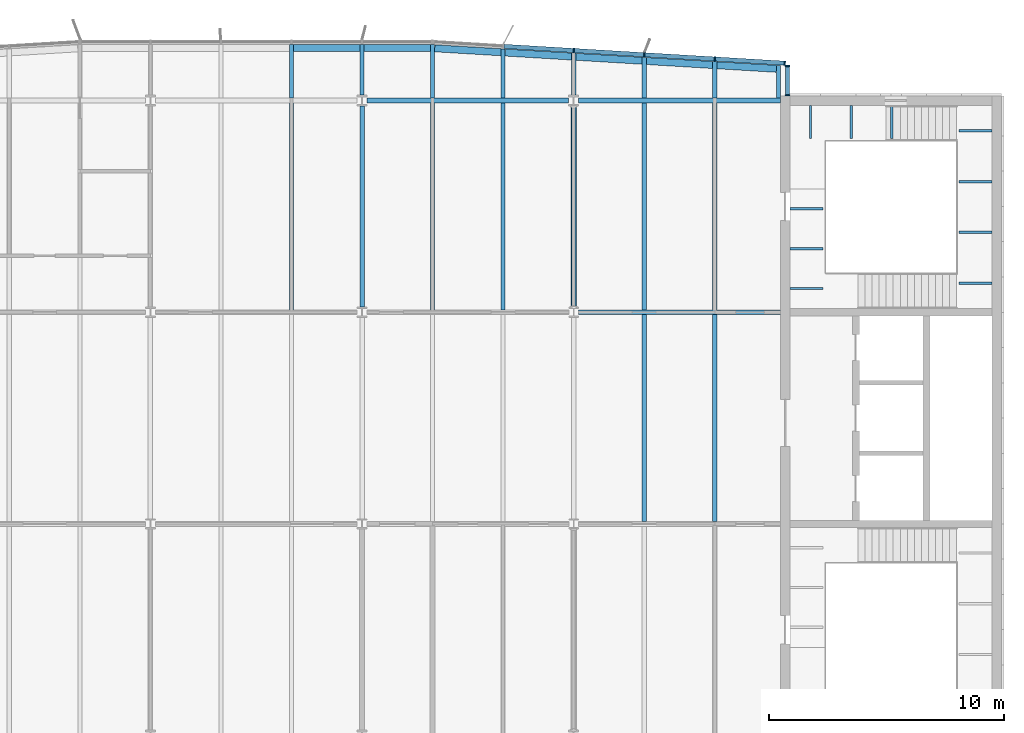
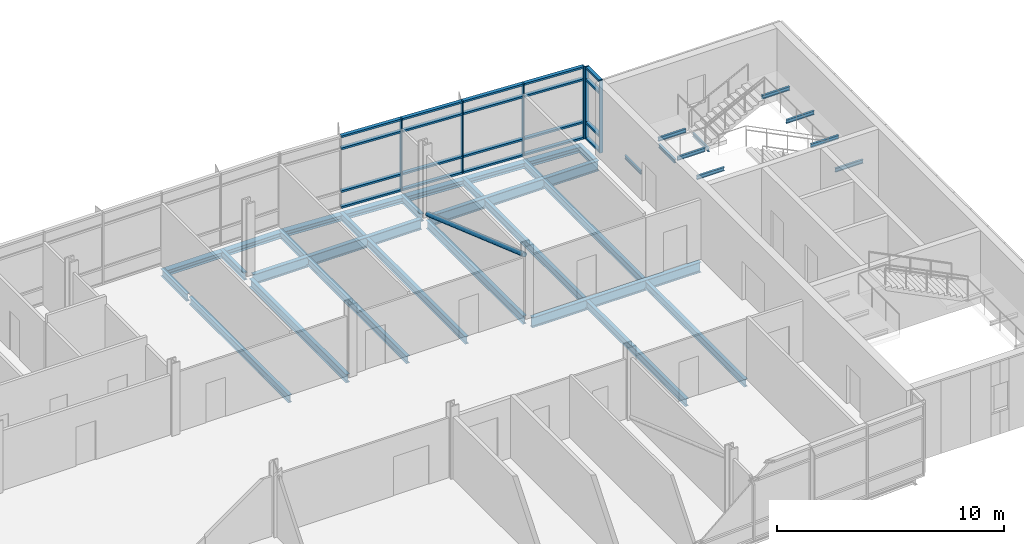
# One storey, part 7 of 17: 37 beams, 27 members, 2 elements without a shape of their own.
"""IFC4 building model written with IfcOpenShell, lengths in metres."""

import ifcopenshell
import ifcopenshell.guid

model = None  # the IFC model being written
_history = None  # IfcOwnerHistory: only IFC2X3 demands one
_inside = {}  # id of a spatial element -> (the spatial element, [elements in it])
_under = {}  # id of a project, library or spatial element -> (it, [spatial elements below it])
_declared = {}  # id of a project -> (the project, [libraries it declares])
_typed = {}  # id of a type object -> (the type object, [elements of that type])
_made_of = {}  # id of a material, layer set ... -> (it, [elements and type objects made of it])


def new_model(schema):
    """Start an empty IFC model of exactly this schema.

    Asked for "IFC4X3", IfcOpenShell would pick the latest addendum, in which some entities
    have other attributes; the version numbers below select the first issue.
    IFC2X3 requires an IfcOwnerHistory on every rooted entity: one is made here for all.
    """
    global model, _history
    if schema == "IFC4X3":
        model = ifcopenshell.file(schema_version=(4, 3, 0, 0))
    else:
        model = ifcopenshell.file(schema=schema)
    _inside.clear()
    _under.clear()
    _declared.clear()
    _typed.clear()
    _made_of.clear()
    _history = None
    if model.schema == "IFC2X3":
        org = make("IfcOrganization", Name="unknown")
        user = make(
            "IfcPersonAndOrganization",
            ThePerson=make("IfcPerson", FamilyName="unknown"),
            TheOrganization=org,
        )
        app = make(
            "IfcApplication",
            ApplicationDeveloper=org,
            Version="unknown",
            ApplicationFullName="unknown",
            ApplicationIdentifier="unknown",
        )
        _history = make(
            "IfcOwnerHistory",
            OwningUser=user,
            OwningApplication=app,
            ChangeAction="ADDED",
            CreationDate=0,
        )
    return model


def make(cls, **values):
    """One entity of the class cls with the attributes given. An attribute that is None is left unset."""
    return model.create_entity(
        cls, **{name: value for name, value in values.items() if value is not None}
    )


def rooted(cls, **values):
    """An entity with a GlobalId (a new one), such as an element, a storey or a relation."""
    return make(cls, GlobalId=ifcopenshell.guid.new(), OwnerHistory=_history, **values)


def si_unit(unit_type, name, prefix=None):
    """IfcSIUnit, for example si_unit("LENGTHUNIT", "METRE", prefix="MILLI")."""
    return make("IfcSIUnit", UnitType=unit_type, Prefix=prefix, Name=name)


def assignment(units):
    """IfcUnitAssignment: the units of a project."""
    return None if units is None else make("IfcUnitAssignment", Units=units)


def point(xyz):
    """IfcCartesianPoint."""
    return None if xyz is None else make("IfcCartesianPoint", Coordinates=xyz)


def direction(xyz):
    """IfcDirection."""
    return None if xyz is None else make("IfcDirection", DirectionRatios=xyz)


def frame(location, z_axis=None, x_axis=None):
    """IfcAxis2Placement3D, a coordinate frame: its origin and axes. An axis left out is left unset."""
    return make(
        "IfcAxis2Placement3D",
        Location=point(location),
        Axis=direction(z_axis),
        RefDirection=direction(x_axis),
    )


def frame_2d(location, x_axis=None):
    """IfcAxis2Placement2D, a coordinate frame in the plane: its origin and x axis."""
    return make(
        "IfcAxis2Placement2D", Location=point(location), RefDirection=direction(x_axis)
    )


def origin():
    """The frame at (0, 0, 0) with its axes left unset."""
    return frame((0.0, 0.0, 0.0))


def origin_2d():
    """The frame at (0, 0) in the plane with its x axis left unset."""
    return frame_2d((0.0, 0.0))


def place(relative_to, where):
    """IfcLocalPlacement: puts the frame where relative to a parent placement (None: the world)."""
    return make(
        "IfcLocalPlacement", PlacementRelTo=relative_to, RelativePlacement=where
    )


def context(
    kind, dimensions, precision=None, world=None, true_north=None, identifier=None
):
    """IfcGeometricRepresentationContext, for example the 3D "Model" context."""
    return make(
        "IfcGeometricRepresentationContext",
        ContextIdentifier=identifier,
        ContextType=kind,
        CoordinateSpaceDimension=dimensions,
        Precision=precision,
        WorldCoordinateSystem=world,
        TrueNorth=true_north,
    )


def subcontext(parent, identifier, kind, view, scale=None):
    """IfcGeometricRepresentationSubContext, for example "Body" below "Model"."""
    return make(
        "IfcGeometricRepresentationSubContext",
        ContextIdentifier=identifier,
        ContextType=kind,
        ParentContext=parent,
        TargetScale=scale,
        TargetView=view,
    )


def project(units=None, contexts=None):
    """IfcProject with its units and contexts."""
    return rooted(
        "IfcProject",
        Name="project",
        RepresentationContexts=contexts,
        UnitsInContext=assignment(units),
    )


def spatial(cls, under=None, at=None, **own):
    """A site, building, storey or space (cls), placed at a placement, below another one or the project."""
    s = rooted(cls, ObjectPlacement=at, **own)
    if under is not None:
        _under.setdefault(under.id(), (under, []))[1].append(s)
    return s


def profile(cls, at=None, kind="AREA", **sizes):
    """A parametric profile (cls). Its sizes go by their IFC names, for example OverallWidth=200.0."""
    return make(cls, ProfileType=kind, Position=at, **sizes)


def rectangle(**sizes):
    """IfcRectangleProfileDef."""
    return profile("IfcRectangleProfileDef", **sizes)


def hollow_circle(**sizes):
    """IfcCircleHollowProfileDef."""
    return profile("IfcCircleHollowProfileDef", **sizes)


def i_section(**sizes):
    """IfcIShapeProfileDef."""
    return profile("IfcIShapeProfileDef", **sizes)


def extrude(swept, where, along, depth):
    """IfcExtrudedAreaSolid: the profile swept, set in the frame where, extruded along a direction by depth."""
    return make(
        "IfcExtrudedAreaSolid",
        SweptArea=swept,
        Position=where,
        ExtrudedDirection=direction(along),
        Depth=depth,
    )


def shape(context_of_items, identifier, shape_type, items):
    """IfcShapeRepresentation: the items that make up one representation, for example the "Body"."""
    return make(
        "IfcShapeRepresentation",
        ContextOfItems=context_of_items,
        RepresentationIdentifier=identifier,
        RepresentationType=shape_type,
        Items=items,
    )


def material(Name=None, Category=None):
    """IfcMaterial."""
    return make("IfcMaterial", Name=Name, Category=Category)


def material_profile(
    of_material, cross_section, Name=None, Category=None, Priority=None
):
    """IfcMaterialProfile: a cross section and its material."""
    return make(
        "IfcMaterialProfile",
        Name=Name,
        Material=of_material,
        Profile=cross_section,
        Priority=Priority,
        Category=Category,
    )


def profile_set(profiles, Name=None, composite=None):
    """IfcMaterialProfileSet."""
    return make(
        "IfcMaterialProfileSet",
        Name=Name,
        MaterialProfiles=profiles,
        CompositeProfile=composite,
    )


def made_of(thing, what):
    """Note that an element or type object is made of a material, layer set ...; save() writes the relation."""
    if what is not None:
        _made_of.setdefault(what.id(), (what, []))[1].append(thing)
    return thing


def type_object(cls, material=None, **own):
    """A type object (cls), such as IfcWallType, which elements share."""
    return made_of(rooted(cls, **own), material)


def element(
    cls,
    number,
    at=None,
    inside=None,
    cuts=None,
    type_object=None,
    material=None,
    context=None,
    identifier="Body",
    shape_type=None,
    held_by="IfcProductDefinitionShape",
    body=None,
    shapes=None,
    **own,
):
    """One element of the class cls, such as IfcWall. Its Tag is "e" and its number.

    at: its placement. inside: the storey or other place that contains it. cuts: it is an
    opening in that element (IfcRelVoidsElement). A single representation is given by context,
    identifier, shape_type and body (its items); several are given by shapes. held_by: the class
    of the entity that holds the representations. save() writes the other relations.
    """
    e = rooted(cls, Tag="e%d" % number, ObjectPlacement=at, **own)
    if body is not None:
        shapes = [shape(context, identifier, shape_type, body)]
    if shapes is not None:
        e.Representation = make(held_by, Representations=shapes)
    if inside is not None:
        _inside.setdefault(inside.id(), (inside, []))[1].append(e)
    if cuts is not None:
        rooted(
            "IfcRelVoidsElement", RelatingBuildingElement=cuts, RelatedOpeningElement=e
        )
    if type_object is not None:
        _typed.setdefault(type_object.id(), (type_object, []))[1].append(e)
    return made_of(e, material)


def aggregate(whole, parts):
    """IfcRelAggregates: a whole, such as a stair, and the parts it consists of."""
    return rooted("IfcRelAggregates", RelatingObject=whole, RelatedObjects=parts)


def save(model, path):
    """Write the relations noted so far, then the file.

    IfcRelAggregates (storeys below a building ...), IfcRelContainedInSpatialStructure (elements
    in a storey), IfcRelDefinesByType, IfcRelAssociatesMaterial and IfcRelDeclares: one each for
    every whole, place, type object, material and project.
    """
    for whole, parts in _under.values():
        aggregate(whole, parts)
    for where, things in _inside.values():
        rooted(
            "IfcRelContainedInSpatialStructure",
            RelatedElements=things,
            RelatingStructure=where,
        )
    for kind, things in _typed.values():
        rooted("IfcRelDefinesByType", RelatedObjects=things, RelatingType=kind)
    for what, things in _made_of.values():
        rooted("IfcRelAssociatesMaterial", RelatedObjects=things, RelatingMaterial=what)
    for by, libraries in _declared.values():
        rooted("IfcRelDeclares", RelatingContext=by, RelatedDefinitions=libraries)
    model.write(path)


model = new_model("IFC4")

# Units and contexts
model_context = context("Model", 3, precision=1e-05, world=origin(), true_north=direction((0.0, 1.0)))
body_context = subcontext(model_context, "Body", "Model", "MODEL_VIEW")
ifc_project = project(units=[si_unit("LENGTHUNIT", "METRE"), si_unit("AREAUNIT", "SQUARE_METRE"), si_unit("VOLUMEUNIT", "CUBIC_METRE"), si_unit("PLANEANGLEUNIT", "RADIAN"), si_unit("MASSUNIT", "GRAM", prefix="KILO")], contexts=[model_context])

# Site, building, storey
site_placement = place(None, origin())
site = spatial("IfcSite", under=ifc_project, at=site_placement, CompositionType="ELEMENT")
building_placement = place(site_placement, origin())
building = spatial("IfcBuilding", under=site, at=building_placement, Name="Azimuth Sports and Learning Centre", CompositionType="ELEMENT")
storey_placement = place(building_placement, frame((0.0, 0.0, 40.199951171875)))
storey = spatial("IfcBuildingStorey", under=building, at=storey_placement, Name="L08", CompositionType="ELEMENT", Elevation=40.199951171875)

# Beams
ifc_material_1 = material(Name="Steel S355", Category="steel")
ifc_material_profile_1 = material_profile(ifc_material_1, i_section(OverallWidth=0.10009765625, OverallDepth=0.199951171875, WebThickness=0.005615234375, FlangeThickness=0.008544921875, FilletRadius=0.011962890625, at=origin_2d()), Name="IPE 200")
ifc_profile_set_1 = profile_set([ifc_material_profile_1], Name="Steel S355")
beam_type_1 = type_object("IfcBeamType", Name="Beam IPE 200", PredefinedType="BEAM", material=ifc_profile_set_1)
for number, where, z_axis, x_axis, name in (
    (1, (109.0732421875, 116.800048828125, -0.300048828125), (0.0, -1.0, 0.0), (1.0, 0.0, 0.0), "Landing bracket E2 L08 613"),
    (2, (110.800048828125, 116.800048828125, -0.300048828125), (0.0, -1.0, 0.0), (1.0, 0.0, 0.0), "Landing bracket E2 L08 614"),
    (3, (112.526611328125, 116.800048828125, -0.300048828125), (0.0, -1.0, 0.0), (1.0, 0.0, 0.0), "Landing bracket E2 L08 615"),
    (4, (116.800048828125, 109.23876953125, 1.35009765625), (-1.0, 0.0, 0.0), (0.0, -1.0, 0.0), "Landing bracket E2 L08 616"),
    (5, (116.800048828125, 111.396240234375, 1.35009765625), (-1.0, 0.0, 0.0), (0.0, -1.0, 0.0), "Landing bracket E2 L08 617"),
    (6, (116.800048828125, 113.5537109375, 1.35009765625), (-1.0, 0.0, 0.0), (0.0, -1.0, 0.0), "Landing bracket E2 L08 618"),
    (7, (116.800048828125, 115.711181640625, 1.35009765625), (-1.0, 0.0, 0.0), (0.0, -1.0, 0.0), "Landing bracket E2 L08 619"),
    (8, (108.199951171875, 109.00830078125, 3.60009765625), (1.0, 0.0, 0.0), (0.0, 1.0, 0.0), "Landing bracket E2 L08 620"),
    (9, (108.199951171875, 110.705078125, 3.60009765625), (1.0, 0.0, 0.0), (0.0, 1.0, 0.0), "Landing bracket E2 L08 621"),
    (10, (108.199951171875, 112.401611328125, 3.60009765625), (1.0, 0.0, 0.0), (0.0, 1.0, 0.0), "Landing bracket E2 L08 622"),
):
    element("IfcBeam", number, at=place(storey_placement, frame(where, z_axis=z_axis, x_axis=x_axis)), inside=storey, type_object=beam_type_1, Name=name, PredefinedType="BEAM", context=body_context, shape_type="SweptSolid", body=[
        extrude(i_section(OverallWidth=0.10009765625, OverallDepth=0.199951171875, WebThickness=0.005615234375, FlangeThickness=0.008544921875, FilletRadius=0.011962890625, at=origin_2d()), origin(), (0.0, 0.0, 1.0), 1.41015625),
    ])
ifc_material_2 = material(Name="Steel S355", Category="steel")
ifc_material_profile_2 = material_profile(ifc_material_2, i_section(OverallWidth=0.18994140625, OverallDepth=0.449951171875, WebThickness=0.009521484375, FlangeThickness=0.0146484375, FilletRadius=0.02099609375, at=origin_2d()), Name="IPE 450")
ifc_profile_set_2 = profile_set([ifc_material_profile_2], Name="Steel S355")
beam_type_2 = type_object("IfcBeamType", Name="Beam IPE 450", PredefinedType="BEAM", material=ifc_profile_set_2)
for number, where, z_axis, x_axis, name in (
    (11, (90.0, 108.217529296875, -0.35498046875), (0.0, 1.0, 0.0), (-1.0, 0.0, 0.0), "Tower tie"),
    (12, (99.0, 108.217529296875, -0.35498046875), (0.0, 1.0, 0.0), (-1.0, 0.0, 0.0), "Tower tie"),
):
    element("IfcBeam", number, at=place(storey_placement, frame(where, z_axis=z_axis, x_axis=x_axis)), inside=storey, type_object=beam_type_2, Name=name, PredefinedType="BEAM", context=body_context, shape_type="SweptSolid", body=[
        extrude(i_section(OverallWidth=0.18994140625, OverallDepth=0.449951171875, WebThickness=0.009521484375, FlangeThickness=0.0146484375, FilletRadius=0.02099609375, at=origin_2d()), origin(), (0.0, 0.0, 1.0), 8.54541015625),
    ])
ifc_material_3 = material(Name="Steel S355", Category="steel")
ifc_material_profile_3 = material_profile(ifc_material_3, i_section(OverallWidth=0.2099609375, OverallDepth=0.550048828125, WebThickness=0.010986328125, FlangeThickness=0.01708984375, FilletRadius=0.02392578125, at=origin_2d()), Name="IPE 550")
ifc_profile_set_3 = profile_set([ifc_material_profile_3], Name="Steel S355")
beam_type_3 = type_object("IfcBeamType", Name="Beam IPE 550", PredefinedType="BEAM", material=ifc_profile_set_3)
beam_1_placement = place(storey_placement, frame((99.2060546875, 108.0, -0.405029296875), z_axis=(1.0, 0.0, 0.0), x_axis=(0.0, 1.0, 0.0)))
element("IfcBeam", 13, at=beam_1_placement, inside=storey, type_object=beam_type_3, Name="Tower girder L08", PredefinedType="BEAM", context=body_context, shape_type="SweptSolid", body=[
    extrude(i_section(OverallWidth=0.2099609375, OverallDepth=0.550048828125, WebThickness=0.010986328125, FlangeThickness=0.01708984375, FilletRadius=0.02392578125, at=origin_2d()), origin(), (0.0, 0.0, 1.0), 8.593994140625),
])
beam_2_placement = place(storey_placement, frame((90.2119140625, 117.0, -0.405029296875), z_axis=(1.0, 0.0, 0.0), x_axis=(0.0, 1.0, 0.0)))
element("IfcBeam", 14, at=beam_2_placement, inside=storey, type_object=beam_type_3, Name="Tower girder L08", PredefinedType="BEAM", context=body_context, shape_type="SweptSolid", body=[
    extrude(i_section(OverallWidth=0.2099609375, OverallDepth=0.550048828125, WebThickness=0.010986328125, FlangeThickness=0.01708984375, FilletRadius=0.02392578125, at=origin_2d()), origin(), (0.0, 0.0, 1.0), 8.576171875),
])
beam_3_placement = place(storey_placement, frame((99.2119140625, 117.0, -0.405029296875), z_axis=(1.0, 0.0, 0.0), x_axis=(0.0, 1.0, 0.0)))
element("IfcBeam", 15, at=beam_3_placement, inside=storey, type_object=beam_type_3, Name="Tower girder L08", PredefinedType="BEAM", context=body_context, shape_type="SweptSolid", body=[
    extrude(i_section(OverallWidth=0.2099609375, OverallDepth=0.550048828125, WebThickness=0.010986328125, FlangeThickness=0.01708984375, FilletRadius=0.02392578125, at=origin_2d()), origin(), (0.0, 0.0, 1.0), 8.588134765625),
])

# Member
ifc_material_4 = material(Name="Steel S355", Category="steel")
ifc_material_profile_4 = material_profile(ifc_material_4, hollow_circle(Radius=0.122314453125, WallThickness=0.012451171875, at=origin_2d()), Name="CHS 244.5x12.5")
ifc_profile_set_4 = profile_set([ifc_material_profile_4], Name="Steel S355")
member_type_1 = type_object("IfcMemberType", Name="Brace CHS 244.5x12.5", PredefinedType="BRACE", material=ifc_profile_set_4)
member_1_placement = place(storey_placement, frame((99.0, 108.238037109375, 3.150634765625), z_axis=(0.0, 0.943699867633, -0.330802901785), x_axis=(-1.0, 0.0, 0.0)))
element("IfcMember", 16, at=member_1_placement, inside=storey, type_object=member_type_1, Name="Tower brace 12 L08", PredefinedType="BRACE", context=body_context, shape_type="SweptSolid", body=[
    extrude(hollow_circle(Radius=0.122314453125, WallThickness=0.012451171875, at=origin_2d()), origin(), (0.0, 0.0, 1.0), 9.011962890625),
])

# Beams
ifc_material_5 = material(Name="Steel S355", Category="steel")
ifc_material_profile_5 = material_profile(ifc_material_5, i_section(OverallWidth=0.179931640625, OverallDepth=0.39990234375, WebThickness=0.008544921875, FlangeThickness=0.013427734375, FilletRadius=0.02099609375, at=origin_2d()), Name="IPE 400")
ifc_profile_set_5 = profile_set([ifc_material_profile_5], Name="Steel S355")
beam_type_4 = type_object("IfcBeamType", Name="Cantilever stub IPE 400", PredefinedType="JOIST", material=ifc_profile_set_5)
beam_4_placement = place(storey_placement, frame((87.0, 117.10498046875, -0.329833984375), z_axis=(0.0, 1.0, 0.0), x_axis=(-1.0, 0.0, 0.0)))
element("IfcBeam", 17, at=beam_4_placement, inside=storey, type_object=beam_type_4, Name="Tower cantilever stub", PredefinedType="JOIST", context=body_context, shape_type="SweptSolid", body=[
    extrude(i_section(OverallWidth=0.179931640625, OverallDepth=0.39990234375, WebThickness=0.008544921875, FlangeThickness=0.013427734375, FilletRadius=0.02099609375, at=origin_2d()), origin(), (0.0, 0.0, 1.0), 2.27490234375),
])
beam_5_placement = place(storey_placement, frame((90.0, 117.237060546875, -0.329833984375), z_axis=(0.0, 1.0, 0.0), x_axis=(-1.0, 0.0, 0.0)))
element("IfcBeam", 18, at=beam_5_placement, inside=storey, type_object=beam_type_4, Name="Tower cantilever stub", PredefinedType="JOIST", context=body_context, shape_type="SweptSolid", body=[
    extrude(i_section(OverallWidth=0.179931640625, OverallDepth=0.39990234375, WebThickness=0.008544921875, FlangeThickness=0.013427734375, FilletRadius=0.02099609375, at=origin_2d()), origin(), (0.0, 0.0, 1.0), 2.142822265625),
])
beam_6_placement = place(storey_placement, frame((93.0, 117.10498046875, -0.329833984375), z_axis=(0.0, 1.0, 0.0), x_axis=(-1.0, 0.0, 0.0)))
element("IfcBeam", 19, at=beam_6_placement, inside=storey, type_object=beam_type_4, Name="Tower cantilever stub", PredefinedType="JOIST", context=body_context, shape_type="SweptSolid", body=[
    extrude(i_section(OverallWidth=0.179931640625, OverallDepth=0.39990234375, WebThickness=0.008544921875, FlangeThickness=0.013427734375, FilletRadius=0.02099609375, at=origin_2d()), origin(), (0.0, 0.0, 1.0), 2.27490234375),
])
beam_7_placement = place(storey_placement, frame((96.0, 117.10498046875, -0.329833984375), z_axis=(0.0, 1.0, 0.0), x_axis=(-1.0, 0.0, 0.0)))
element("IfcBeam", 20, at=beam_7_placement, inside=storey, type_object=beam_type_4, Name="Tower cantilever stub", PredefinedType="JOIST", context=body_context, shape_type="SweptSolid", body=[
    extrude(i_section(OverallWidth=0.179931640625, OverallDepth=0.39990234375, WebThickness=0.008544921875, FlangeThickness=0.013427734375, FilletRadius=0.02099609375, at=origin_2d()), origin(), (0.0, 0.0, 1.0), 2.094970703125),
])
beam_8_placement = place(storey_placement, frame((99.0, 117.237060546875, -0.329833984375), z_axis=(0.0, 1.0, 0.0), x_axis=(-1.0, 0.0, 0.0)))
element("IfcBeam", 21, at=beam_8_placement, inside=storey, type_object=beam_type_4, Name="Tower cantilever stub", PredefinedType="JOIST", context=body_context, shape_type="SweptSolid", body=[
    extrude(i_section(OverallWidth=0.179931640625, OverallDepth=0.39990234375, WebThickness=0.008544921875, FlangeThickness=0.013427734375, FilletRadius=0.02099609375, at=origin_2d()), origin(), (0.0, 0.0, 1.0), 1.782958984375),
])
beam_9_placement = place(storey_placement, frame((102.0, 117.10498046875, -0.329833984375), z_axis=(0.0, 1.0, 0.0), x_axis=(-1.0, 0.0, 0.0)))
element("IfcBeam", 22, at=beam_9_placement, inside=storey, type_object=beam_type_4, Name="Tower cantilever stub", PredefinedType="JOIST", context=body_context, shape_type="SweptSolid", body=[
    extrude(i_section(OverallWidth=0.179931640625, OverallDepth=0.39990234375, WebThickness=0.008544921875, FlangeThickness=0.013427734375, FilletRadius=0.02099609375, at=origin_2d()), origin(), (0.0, 0.0, 1.0), 1.735107421875),
])
beam_10_placement = place(storey_placement, frame((105.0, 117.10498046875, -0.329833984375), z_axis=(0.0, 1.0, 0.0), x_axis=(-1.0, 0.0, 0.0)))
element("IfcBeam", 23, at=beam_10_placement, inside=storey, type_object=beam_type_4, Name="Tower cantilever stub", PredefinedType="JOIST", context=body_context, shape_type="SweptSolid", body=[
    extrude(i_section(OverallWidth=0.179931640625, OverallDepth=0.39990234375, WebThickness=0.008544921875, FlangeThickness=0.013427734375, FilletRadius=0.02099609375, at=origin_2d()), origin(), (0.0, 0.0, 1.0), 1.554931640625),
])
beam_11_placement = place(storey_placement, frame((107.7099609375, 117.10498046875, -0.329833984375), z_axis=(0.0, 1.0, 0.0), x_axis=(-1.0, 0.0, 0.0)))
element("IfcBeam", 24, at=beam_11_placement, inside=storey, type_object=beam_type_4, Name="Tower cantilever stub", PredefinedType="JOIST", context=body_context, shape_type="SweptSolid", body=[
    extrude(i_section(OverallWidth=0.179931640625, OverallDepth=0.39990234375, WebThickness=0.008544921875, FlangeThickness=0.013427734375, FilletRadius=0.02099609375, at=origin_2d()), origin(), (0.0, 0.0, 1.0), 1.392333984375),
])
ifc_material_6 = material(Name="Steel S355", Category="steel")
ifc_material_profile_6 = material_profile(ifc_material_6, i_section(OverallWidth=0.300048828125, OverallDepth=0.2900390625, WebThickness=0.008544921875, FlangeThickness=0.013916015625, FilletRadius=0.027099609375, at=origin_2d()), Name="HEA 300")
ifc_profile_set_6 = profile_set([ifc_material_profile_6], Name="Steel S355")
beam_type_5 = type_object("IfcBeamType", Name="Edge beam HEA 300", PredefinedType="SPANDREL", material=ifc_profile_set_6)
for number, where, z_axis, x_axis, name in (
    (25, (87.090087890625, 119.22998046875, -0.27490234375), (1.0, 0.0, 0.0), (0.0, 1.0, 0.0), "Tower edge beam"),
    (26, (90.090087890625, 119.22998046875, -0.27490234375), (1.0, 0.0, 0.0), (0.0, 1.0, 0.0), "Tower edge beam"),
):
    element("IfcBeam", number, at=place(storey_placement, frame(where, z_axis=z_axis, x_axis=x_axis)), inside=storey, type_object=beam_type_5, Name=name, PredefinedType="SPANDREL", context=body_context, shape_type="SweptSolid", body=[
        extrude(i_section(OverallWidth=0.300048828125, OverallDepth=0.2900390625, WebThickness=0.008544921875, FlangeThickness=0.013916015625, FilletRadius=0.027099609375, at=origin_2d()), origin(), (0.0, 0.0, 1.0), 2.81982421875),
    ])
for number, where, z_axis, x_axis, name in (
    (27, (93.090087890625, 119.224609375, -0.27490234375), (0.998204845466, -0.059892290728, 0.0), (0.059892290728, 0.998204845466, 0.0), "Tower edge beam"),
    (28, (96.090087890625, 119.044677734375, -0.27490234375), (0.998204845466, -0.059892290728, 0.0), (0.059892290728, 0.998204845466, 0.0), "Tower edge beam"),
    (29, (99.090087890625, 118.864501953125, -0.27490234375), (0.998204845466, -0.059892290728, 0.0), (0.059892290728, 0.998204845466, 0.0), "Tower edge beam"),
    (30, (102.090087890625, 118.6845703125, -0.27490234375), (0.998204845466, -0.059892290728, 0.0), (0.059892290728, 0.998204845466, 0.0), "Tower edge beam"),
):
    element("IfcBeam", number, at=place(storey_placement, frame(where, z_axis=z_axis, x_axis=x_axis)), inside=storey, type_object=beam_type_5, Name=name, PredefinedType="SPANDREL", context=body_context, shape_type="SweptSolid", body=[
        extrude(i_section(OverallWidth=0.300048828125, OverallDepth=0.2900390625, WebThickness=0.008544921875, FlangeThickness=0.013916015625, FilletRadius=0.027099609375, at=origin_2d()), origin(), (0.0, 0.0, 1.0), 2.824951171875),
    ])
beam_12_placement = place(storey_placement, frame((105.090087890625, 118.504638671875, -0.27490234375), z_axis=(0.998203578329, -0.059913405937, 0.0), x_axis=(0.059913405937, 0.998203578329, 0.0)))
element("IfcBeam", 31, at=beam_12_placement, inside=storey, type_object=beam_type_5, Name="Tower edge beam", PredefinedType="SPANDREL", context=body_context, shape_type="SweptSolid", body=[
    extrude(i_section(OverallWidth=0.300048828125, OverallDepth=0.2900390625, WebThickness=0.008544921875, FlangeThickness=0.013916015625, FilletRadius=0.027099609375, at=origin_2d()), origin(), (0.0, 0.0, 1.0), 2.53466796875),
])
ifc_material_7 = material(Name="Steel S355", Category="steel")
ifc_material_profile_7 = material_profile(ifc_material_7, i_section(OverallWidth=0.179931640625, OverallDepth=0.39990234375, WebThickness=0.008544921875, FlangeThickness=0.013427734375, FilletRadius=0.02099609375, at=origin_2d()), Name="IPE 400")
ifc_profile_set_7 = profile_set([ifc_material_profile_7], Name="Steel S355")
beam_type_6 = type_object("IfcBeamType", Name="Joist IPE 400", PredefinedType="JOIST", material=ifc_profile_set_7)
for number, where, z_axis, x_axis, name in (
    (32, (87.0, 108.10498046875, -0.329833984375), (0.0, 1.0, 0.0), (-1.0, 0.0, 0.0), "Tower joist"),
    (33, (93.0, 108.10498046875, -0.329833984375), (0.0, 1.0, 0.0), (-1.0, 0.0, 0.0), "Tower joist"),
    (34, (96.0, 108.10498046875, -0.329833984375), (0.0, 1.0, 0.0), (-1.0, 0.0, 0.0), "Tower joist"),
    (35, (102.0, 99.10498046875, -0.329833984375), (0.0, 1.0, 0.0), (-1.0, 0.0, 0.0), "Tower joist"),
    (36, (102.0, 108.10498046875, -0.329833984375), (0.0, 1.0, 0.0), (-1.0, 0.0, 0.0), "Tower joist"),
    (37, (105.0, 99.10498046875, -0.329833984375), (0.0, 1.0, 0.0), (-1.0, 0.0, 0.0), "Tower joist"),
    (38, (105.0, 108.10498046875, -0.329833984375), (0.0, 1.0, 0.0), (-1.0, 0.0, 0.0), "Tower joist"),
):
    element("IfcBeam", number, at=place(storey_placement, frame(where, z_axis=z_axis, x_axis=x_axis)), inside=storey, type_object=beam_type_6, Name=name, PredefinedType="JOIST", context=body_context, shape_type="SweptSolid", body=[
        extrude(i_section(OverallWidth=0.179931640625, OverallDepth=0.39990234375, WebThickness=0.008544921875, FlangeThickness=0.013427734375, FilletRadius=0.02099609375, at=origin_2d()), origin(), (0.0, 0.0, 1.0), 8.7900390625),
    ])

# Curtain wall, members
ifc_material_8 = material(Name="Aluminium and glass", Category="aluminium")
curtain_wall_type_1 = type_object("IfcCurtainWallType", Name="Curtain wall tower return 180", PredefinedType="NOTDEFINED", material=ifc_material_8)
curtain_wall_1_placement = place(storey_placement, origin())
curtain_wall_1 = element("IfcCurtainWall", 39, at=curtain_wall_1_placement, inside=storey, type_object=curtain_wall_type_1, Name="Curtain wall CW08-006", PredefinedType="NOTDEFINED")
ifc_material_9 = material(Name="Aluminium", Category="aluminium")
ifc_material_profile_8 = material_profile(ifc_material_9, rectangle(XDim=0.179931640625, YDim=0.06005859375, at=origin_2d()), Name="Mullion 60x180")
ifc_profile_set_8 = profile_set([ifc_material_profile_8], Name="Aluminium")
member_type_2 = type_object("IfcMemberType", Name="Mullion 60x180", PredefinedType="MULLION", material=ifc_profile_set_8)
member_2_placement = place(storey_placement, frame((108.090087890625, 117.22998046875, 0.0), z_axis=(0.0, 0.0, 1.0), x_axis=(-1.0, 0.0, 0.0)))
member_2 = element("IfcMember", 40, at=member_2_placement, type_object=member_type_2, Name="CW08-006 mullion 1", PredefinedType="MULLION", context=body_context, shape_type="SweptSolid", body=[
    extrude(rectangle(XDim=0.179931640625, YDim=0.06005859375, at=origin_2d()), origin(), (0.0, 0.0, 1.0), 3.900146484375),
])
member_3_placement = place(storey_placement, frame((108.090087890625, 118.469970703125, 0.0), z_axis=(0.0, 0.0, 1.0), x_axis=(-1.0, 0.0, 0.0)))
member_3 = element("IfcMember", 41, at=member_3_placement, type_object=member_type_2, Name="CW08-006 mullion 2", PredefinedType="MULLION", context=body_context, shape_type="SweptSolid", body=[
    extrude(rectangle(XDim=0.179931640625, YDim=0.06005859375, at=origin_2d()), origin(), (0.0, 0.0, 1.0), 3.900146484375),
])

ifc_material_10 = material(Name="Aluminium and glass", Category="aluminium")
curtain_wall_type_2 = type_object("IfcCurtainWallType", Name="Curtain wall tower north 180", PredefinedType="NOTDEFINED", material=ifc_material_10)
curtain_wall_2_placement = place(storey_placement, origin())
curtain_wall_2 = element("IfcCurtainWall", 42, at=curtain_wall_2_placement, inside=storey, type_object=curtain_wall_type_2, Name="Curtain wall CW08-007", PredefinedType="NOTDEFINED")
member_4_placement = place(storey_placement, frame((107.975341796875, 118.591552734375, 0.0), z_axis=(0.0, 0.0, 1.0), x_axis=(-0.059891991812, -0.998204863401, 0.0)))
member_4 = element("IfcMember", 43, at=member_4_placement, type_object=member_type_2, Name="CW08-007 mullion 1", PredefinedType="MULLION", context=body_context, shape_type="SweptSolid", body=[
    extrude(rectangle(XDim=0.179931640625, YDim=0.06005859375, at=origin_2d()), origin(), (0.0, 0.0, 1.0), 3.900146484375),
])
member_5_placement = place(storey_placement, frame((105.00537109375, 118.769775390625, 0.0), z_axis=(0.0, 0.0, 1.0), x_axis=(-0.059891991812, -0.998204863401, 0.0)))
member_5 = element("IfcMember", 44, at=member_5_placement, type_object=member_type_2, Name="CW08-007 mullion 2", PredefinedType="MULLION", context=body_context, shape_type="SweptSolid", body=[
    extrude(rectangle(XDim=0.179931640625, YDim=0.06005859375, at=origin_2d()), origin(), (0.0, 0.0, 1.0), 3.900146484375),
])
member_6_placement = place(storey_placement, frame((102.00537109375, 118.949951171875, 0.0), z_axis=(0.0, 0.0, 1.0), x_axis=(-0.059891991812, -0.998204863401, 0.0)))
member_6 = element("IfcMember", 45, at=member_6_placement, type_object=member_type_2, Name="CW08-007 mullion 3", PredefinedType="MULLION", context=body_context, shape_type="SweptSolid", body=[
    extrude(rectangle(XDim=0.179931640625, YDim=0.06005859375, at=origin_2d()), origin(), (0.0, 0.0, 1.0), 3.900146484375),
])
member_7_placement = place(storey_placement, frame((99.00537109375, 119.1298828125, 0.0), z_axis=(0.0, 0.0, 1.0), x_axis=(-0.059891991812, -0.998204863401, 0.0)))
member_7 = element("IfcMember", 46, at=member_7_placement, type_object=member_type_2, Name="CW08-007 mullion 4", PredefinedType="MULLION", context=body_context, shape_type="SweptSolid", body=[
    extrude(rectangle(XDim=0.179931640625, YDim=0.06005859375, at=origin_2d()), origin(), (0.0, 0.0, 1.0), 3.900146484375),
])

# Member
ifc_material_11 = material(Name="Aluminium", Category="aluminium")
ifc_material_profile_9 = material_profile(ifc_material_11, rectangle(XDim=0.179931640625, YDim=0.10009765625, at=origin_2d()), Name="Transom 100x180")
ifc_profile_set_9 = profile_set([ifc_material_profile_9], Name="Aluminium")
member_type_3 = type_object("IfcMemberType", Name="Transom 100x180", PredefinedType="USERDEFINED", material=ifc_profile_set_9)
member_8_placement = place(storey_placement, frame((108.090087890625, 117.260009765625, 0.050048828125), z_axis=(0.0, 1.0, 0.0), x_axis=(-1.0, 0.0, 0.0)))
member_8 = element("IfcMember", 47, at=member_8_placement, type_object=member_type_3, Name="CW08-006 transom 1.1", ObjectType="TRANSOM", PredefinedType="USERDEFINED", context=body_context, shape_type="SweptSolid", body=[
    extrude(rectangle(XDim=0.179931640625, YDim=0.10009765625, at=origin_2d()), origin(), (0.0, 0.0, 1.0), 1.179931640625),
])

member_9_placement = place(storey_placement, frame((108.090087890625, 117.260009765625, 0.900146484375), z_axis=(0.0, 1.0, 0.0), x_axis=(-1.0, 0.0, 0.0)))
member_9 = element("IfcMember", 48, at=member_9_placement, type_object=member_type_3, Name="CW08-006 transom 1.2", ObjectType="TRANSOM", PredefinedType="USERDEFINED", context=body_context, shape_type="SweptSolid", body=[
    extrude(rectangle(XDim=0.179931640625, YDim=0.10009765625, at=origin_2d()), origin(), (0.0, 0.0, 1.0), 1.179931640625),
])

member_10_placement = place(storey_placement, frame((108.090087890625, 117.260009765625, 3.199951171875), z_axis=(0.0, 1.0, 0.0), x_axis=(-1.0, 0.0, 0.0)))
member_10 = element("IfcMember", 49, at=member_10_placement, type_object=member_type_3, Name="CW08-006 transom 1.3", ObjectType="TRANSOM", PredefinedType="USERDEFINED", context=body_context, shape_type="SweptSolid", body=[
    extrude(rectangle(XDim=0.179931640625, YDim=0.10009765625, at=origin_2d()), origin(), (0.0, 0.0, 1.0), 1.179931640625),
])

member_11_placement = place(storey_placement, frame((108.090087890625, 117.260009765625, 3.85009765625), z_axis=(0.0, 1.0, 0.0), x_axis=(-1.0, 0.0, 0.0)))
member_11 = element("IfcMember", 50, at=member_11_placement, type_object=member_type_3, Name="CW08-006 transom 1.4", ObjectType="TRANSOM", PredefinedType="USERDEFINED", context=body_context, shape_type="SweptSolid", body=[
    extrude(rectangle(XDim=0.179931640625, YDim=0.10009765625, at=origin_2d()), origin(), (0.0, 0.0, 1.0), 1.179931640625),
])

aggregate(curtain_wall_1, [member_2, member_3, member_8, member_9, member_10, member_11])

member_12_placement = place(storey_placement, frame((107.945556640625, 118.593505859375, 0.050048828125), z_axis=(-0.998205846627, 0.059875602377, 0.0), x_axis=(-0.059875602377, -0.998205846627, 0.0)))
member_12 = element("IfcMember", 51, at=member_12_placement, type_object=member_type_3, Name="CW08-007 transom 1.1", ObjectType="TRANSOM", PredefinedType="USERDEFINED", context=body_context, shape_type="SweptSolid", body=[
    extrude(rectangle(XDim=0.179931640625, YDim=0.10009765625, at=origin_2d()), origin(), (0.0, 0.0, 1.0), 2.915283203125),
])

member_13_placement = place(storey_placement, frame((107.945556640625, 118.593505859375, 0.900146484375), z_axis=(-0.998205846627, 0.059875602377, 0.0), x_axis=(-0.059875602377, -0.998205846627, 0.0)))
member_13 = element("IfcMember", 52, at=member_13_placement, type_object=member_type_3, Name="CW08-007 transom 1.2", ObjectType="TRANSOM", PredefinedType="USERDEFINED", context=body_context, shape_type="SweptSolid", body=[
    extrude(rectangle(XDim=0.179931640625, YDim=0.10009765625, at=origin_2d()), origin(), (0.0, 0.0, 1.0), 2.915283203125),
])

member_14_placement = place(storey_placement, frame((107.945556640625, 118.593505859375, 3.199951171875), z_axis=(-0.998205846627, 0.059875602377, 0.0), x_axis=(-0.059875602377, -0.998205846627, 0.0)))
member_14 = element("IfcMember", 53, at=member_14_placement, type_object=member_type_3, Name="CW08-007 transom 1.3", ObjectType="TRANSOM", PredefinedType="USERDEFINED", context=body_context, shape_type="SweptSolid", body=[
    extrude(rectangle(XDim=0.179931640625, YDim=0.10009765625, at=origin_2d()), origin(), (0.0, 0.0, 1.0), 2.915283203125),
])

member_15_placement = place(storey_placement, frame((107.945556640625, 118.593505859375, 3.85009765625), z_axis=(-0.998205846627, 0.059875602377, 0.0), x_axis=(-0.059875602377, -0.998205846627, 0.0)))
member_15 = element("IfcMember", 54, at=member_15_placement, type_object=member_type_3, Name="CW08-007 transom 1.4", ObjectType="TRANSOM", PredefinedType="USERDEFINED", context=body_context, shape_type="SweptSolid", body=[
    extrude(rectangle(XDim=0.179931640625, YDim=0.10009765625, at=origin_2d()), origin(), (0.0, 0.0, 1.0), 2.915283203125),
])

member_16_placement = place(storey_placement, frame((104.975341796875, 118.771728515625, 0.050048828125), z_axis=(-0.998207421552, 0.059849340505, 0.0), x_axis=(-0.059849340505, -0.998207421552, 0.0)))
member_16 = element("IfcMember", 55, at=member_16_placement, type_object=member_type_3, Name="CW08-007 transom 2.1", ObjectType="TRANSOM", PredefinedType="USERDEFINED", context=body_context, shape_type="SweptSolid", body=[
    extrude(rectangle(XDim=0.179931640625, YDim=0.10009765625, at=origin_2d()), origin(), (0.0, 0.0, 1.0), 2.9453125),
])

member_17_placement = place(storey_placement, frame((104.975341796875, 118.771728515625, 0.900146484375), z_axis=(-0.998207421552, 0.059849340505, 0.0), x_axis=(-0.059849340505, -0.998207421552, 0.0)))
member_17 = element("IfcMember", 56, at=member_17_placement, type_object=member_type_3, Name="CW08-007 transom 2.2", ObjectType="TRANSOM", PredefinedType="USERDEFINED", context=body_context, shape_type="SweptSolid", body=[
    extrude(rectangle(XDim=0.179931640625, YDim=0.10009765625, at=origin_2d()), origin(), (0.0, 0.0, 1.0), 2.9453125),
])

member_18_placement = place(storey_placement, frame((104.975341796875, 118.771728515625, 3.199951171875), z_axis=(-0.998207421552, 0.059849340505, 0.0), x_axis=(-0.059849340505, -0.998207421552, 0.0)))
member_18 = element("IfcMember", 57, at=member_18_placement, type_object=member_type_3, Name="CW08-007 transom 2.3", ObjectType="TRANSOM", PredefinedType="USERDEFINED", context=body_context, shape_type="SweptSolid", body=[
    extrude(rectangle(XDim=0.179931640625, YDim=0.10009765625, at=origin_2d()), origin(), (0.0, 0.0, 1.0), 2.9453125),
])

member_19_placement = place(storey_placement, frame((104.975341796875, 118.771728515625, 3.85009765625), z_axis=(-0.998207421552, 0.059849340505, 0.0), x_axis=(-0.059849340505, -0.998207421552, 0.0)))
member_19 = element("IfcMember", 58, at=member_19_placement, type_object=member_type_3, Name="CW08-007 transom 2.4", ObjectType="TRANSOM", PredefinedType="USERDEFINED", context=body_context, shape_type="SweptSolid", body=[
    extrude(rectangle(XDim=0.179931640625, YDim=0.10009765625, at=origin_2d()), origin(), (0.0, 0.0, 1.0), 2.9453125),
])

member_20_placement = place(storey_placement, frame((101.975341796875, 118.95166015625, 0.050048828125), z_axis=(-0.998207421552, 0.059849340505, 0.0), x_axis=(-0.059849340505, -0.998207421552, 0.0)))
member_20 = element("IfcMember", 59, at=member_20_placement, type_object=member_type_3, Name="CW08-007 transom 3.1", ObjectType="TRANSOM", PredefinedType="USERDEFINED", context=body_context, shape_type="SweptSolid", body=[
    extrude(rectangle(XDim=0.179931640625, YDim=0.10009765625, at=origin_2d()), origin(), (0.0, 0.0, 1.0), 2.9453125),
])

member_21_placement = place(storey_placement, frame((101.975341796875, 118.95166015625, 0.900146484375), z_axis=(-0.998207421552, 0.059849340505, 0.0), x_axis=(-0.059849340505, -0.998207421552, 0.0)))
member_21 = element("IfcMember", 60, at=member_21_placement, type_object=member_type_3, Name="CW08-007 transom 3.2", ObjectType="TRANSOM", PredefinedType="USERDEFINED", context=body_context, shape_type="SweptSolid", body=[
    extrude(rectangle(XDim=0.179931640625, YDim=0.10009765625, at=origin_2d()), origin(), (0.0, 0.0, 1.0), 2.9453125),
])

member_22_placement = place(storey_placement, frame((101.975341796875, 118.95166015625, 3.199951171875), z_axis=(-0.998207421552, 0.059849340505, 0.0), x_axis=(-0.059849340505, -0.998207421552, 0.0)))
member_22 = element("IfcMember", 61, at=member_22_placement, type_object=member_type_3, Name="CW08-007 transom 3.3", ObjectType="TRANSOM", PredefinedType="USERDEFINED", context=body_context, shape_type="SweptSolid", body=[
    extrude(rectangle(XDim=0.179931640625, YDim=0.10009765625, at=origin_2d()), origin(), (0.0, 0.0, 1.0), 2.9453125),
])

member_23_placement = place(storey_placement, frame((101.975341796875, 118.95166015625, 3.85009765625), z_axis=(-0.998207421552, 0.059849340505, 0.0), x_axis=(-0.059849340505, -0.998207421552, 0.0)))
member_23 = element("IfcMember", 62, at=member_23_placement, type_object=member_type_3, Name="CW08-007 transom 3.4", ObjectType="TRANSOM", PredefinedType="USERDEFINED", context=body_context, shape_type="SweptSolid", body=[
    extrude(rectangle(XDim=0.179931640625, YDim=0.10009765625, at=origin_2d()), origin(), (0.0, 0.0, 1.0), 2.9453125),
])

member_24_placement = place(storey_placement, frame((98.975341796875, 119.131591796875, 0.050048828125), z_axis=(-0.998202465912, 0.059931936792, 0.0), x_axis=(-0.059931936792, -0.998202465912, 0.0)))
member_24 = element("IfcMember", 63, at=member_24_placement, type_object=member_type_3, Name="CW08-007 transom 4.1", ObjectType="TRANSOM", PredefinedType="USERDEFINED", context=body_context, shape_type="SweptSolid", body=[
    extrude(rectangle(XDim=0.179931640625, YDim=0.10009765625, at=origin_2d()), origin(), (0.0, 0.0, 1.0), 2.9453125),
])

member_25_placement = place(storey_placement, frame((98.975341796875, 119.131591796875, 0.900146484375), z_axis=(-0.998202465912, 0.059931936792, 0.0), x_axis=(-0.059931936792, -0.998202465912, 0.0)))
member_25 = element("IfcMember", 64, at=member_25_placement, type_object=member_type_3, Name="CW08-007 transom 4.2", ObjectType="TRANSOM", PredefinedType="USERDEFINED", context=body_context, shape_type="SweptSolid", body=[
    extrude(rectangle(XDim=0.179931640625, YDim=0.10009765625, at=origin_2d()), origin(), (0.0, 0.0, 1.0), 2.9453125),
])

member_26_placement = place(storey_placement, frame((98.975341796875, 119.131591796875, 3.199951171875), z_axis=(-0.998202465912, 0.059931936792, 0.0), x_axis=(-0.059931936792, -0.998202465912, 0.0)))
member_26 = element("IfcMember", 65, at=member_26_placement, type_object=member_type_3, Name="CW08-007 transom 4.3", ObjectType="TRANSOM", PredefinedType="USERDEFINED", context=body_context, shape_type="SweptSolid", body=[
    extrude(rectangle(XDim=0.179931640625, YDim=0.10009765625, at=origin_2d()), origin(), (0.0, 0.0, 1.0), 2.9453125),
])

member_27_placement = place(storey_placement, frame((98.975341796875, 119.131591796875, 3.85009765625), z_axis=(-0.998202465912, 0.059931936792, 0.0), x_axis=(-0.059931936792, -0.998202465912, 0.0)))
member_27 = element("IfcMember", 66, at=member_27_placement, type_object=member_type_3, Name="CW08-007 transom 4.4", ObjectType="TRANSOM", PredefinedType="USERDEFINED", context=body_context, shape_type="SweptSolid", body=[
    extrude(rectangle(XDim=0.179931640625, YDim=0.10009765625, at=origin_2d()), origin(), (0.0, 0.0, 1.0), 2.9453125),
])

aggregate(curtain_wall_2, [member_4, member_5, member_6, member_7, member_12, member_13, member_14, member_15, member_16, member_17, member_18, member_19, member_20, member_21, member_22, member_23, member_24, member_25, member_26, member_27])

save(model, "model.ifc")
